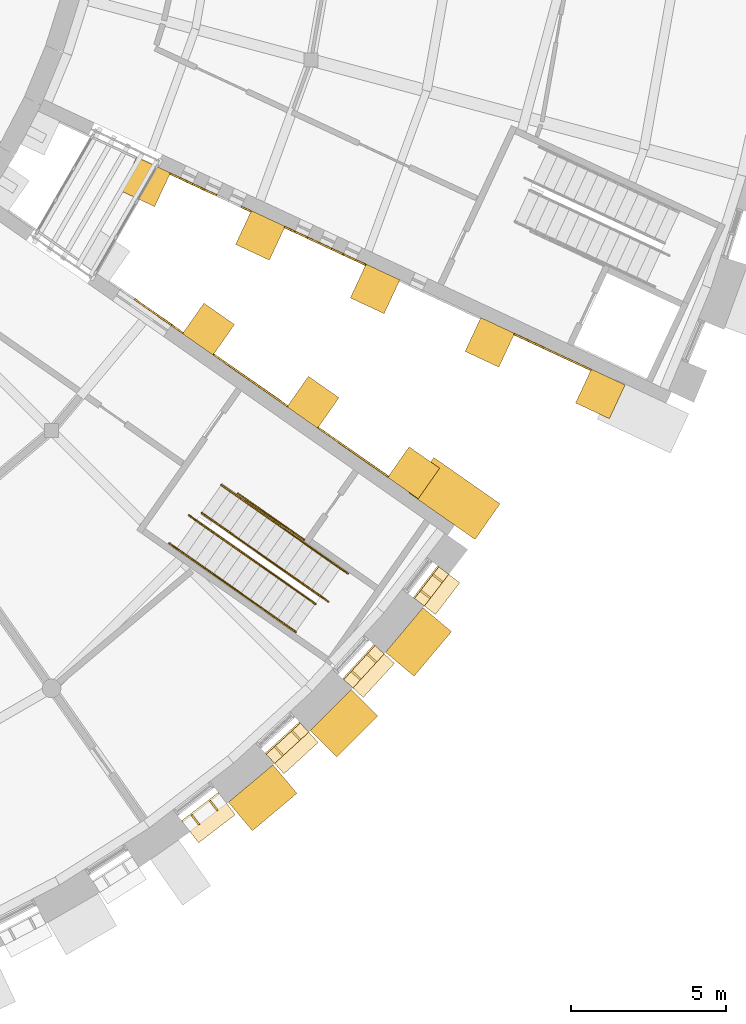
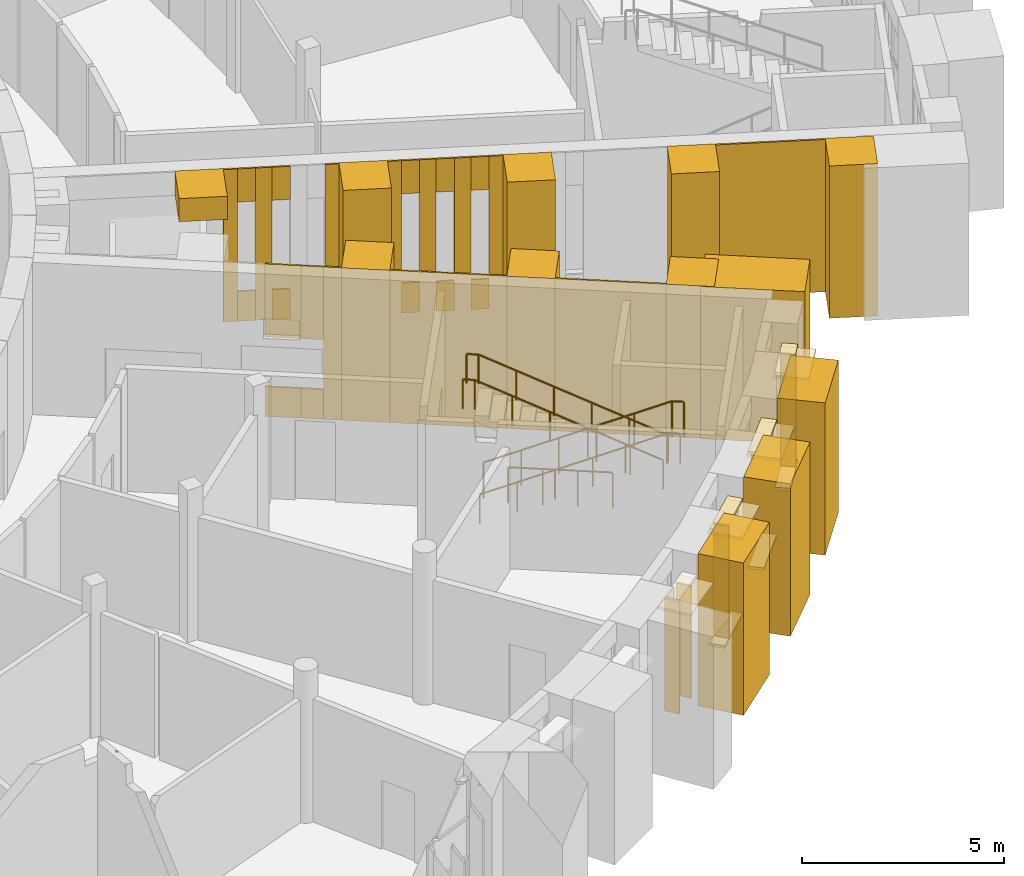
# One storey, part 58 of 66: 55 coverings, 5 railings.
"""IFC4 building model written with IfcOpenShell, lengths in metres."""

from ifc_helpers import new_model, si_unit, direction, frame, origin, origin_2d, place, context, subcontext, project, spatial, polyline, rectangle, circle, outline, extrude, material, layer, layer_set, type_object, element, save


model = new_model("IFC4")

# Units and contexts
model_context = context("Model", 3, precision=1e-05, world=origin(), true_north=direction((0.0, 1.0)))
body_context = subcontext(model_context, "Body", "Model", "MODEL_VIEW")
ifc_project = project(units=[si_unit("LENGTHUNIT", "METRE"), si_unit("AREAUNIT", "SQUARE_METRE"), si_unit("VOLUMEUNIT", "CUBIC_METRE"), si_unit("PLANEANGLEUNIT", "RADIAN"), si_unit("MASSUNIT", "GRAM", prefix="KILO")], contexts=[model_context])

# Site, building, storey
site_placement = place(None, origin())
site = spatial("IfcSite", under=ifc_project, at=site_placement, CompositionType="ELEMENT")
building_placement = place(site_placement, origin())
building = spatial("IfcBuilding", under=site, at=building_placement, Name="Volute Hill Aquarium", CompositionType="ELEMENT")
storey_placement = place(building_placement, frame((0.0, 0.0, 4.60009765625)))
storey = spatial("IfcBuildingStorey", under=building, at=storey_placement, Name="L02", CompositionType="ELEMENT", Elevation=4.60009765625)

# Coverings
ifc_material_1 = material(Name="Precast concrete C40/50", Category="concrete")
covering_type_1 = type_object("IfcCoveringType", Name="End wall precast fin C40/50 1200x1200", PredefinedType="CLADDING", material=ifc_material_1)
for number, where, z_axis, x_axis, name in (
    (1, (24.421142578125, -16.0927734375, -0.000244140625), (0.0, 0.0, 1.0), (0.819152467225, -0.573575832335, 0.0), "End wall fin EWF S3B L02 3"),
    (2, (27.78564453125, -18.44873046875, -0.000244140625), (0.0, 0.0, 1.0), (0.819152467225, -0.573575832335, 0.0), "End wall fin EWF S3B L02 4"),
    (3, (31.027587890625, -20.718505859375, -0.000244140625), (0.0, 0.0, 1.0), (0.819152467225, -0.573575832335, 0.0), "End wall fin EWF S3B L02 5"),
):
    element("IfcCovering", number, at=place(storey_placement, frame(where, z_axis=z_axis, x_axis=x_axis)), inside=storey, type_object=covering_type_1, Name=name, PredefinedType="CLADDING", context=body_context, shape_type="SweptSolid", body=[
        extrude(rectangle(XDim=1.199951171875, YDim=1.199951171875, at=origin_2d()), origin(), (0.0, 0.0, 1.0), 4.60009765625),
    ])
covering_1_placement = place(storey_placement, frame((22.39599609375, -11.353759765625, 3.89990234375), z_axis=(0.0, 0.0, 1.0), x_axis=(0.906308670387, -0.422616367385, 0.0)))
element("IfcCovering", 4, at=covering_1_placement, inside=storey, type_object=covering_type_1, Name="End wall fin EWF S4A L02 2", PredefinedType="CLADDING", context=body_context, shape_type="SweptSolid", body=[
    extrude(rectangle(XDim=1.199951171875, YDim=1.199951171875, at=origin_2d()), origin(), (0.0, 0.0, 1.0), 0.699951171875),
])
for number, where, z_axis, x_axis, name in (
    (5, (26.090087890625, -13.076416015625, -0.000244140625), (0.0, 0.0, 1.0), (0.906308670387, -0.422616367385, 0.0), "End wall fin EWF S4A L02 3"),
    (6, (29.7841796875, -14.798828125, -0.000244140625), (0.0, 0.0, 1.0), (0.906308670387, -0.422616367385, 0.0), "End wall fin EWF S4A L02 4"),
    (7, (33.478271484375, -16.521484375, -0.000244140625), (0.0, 0.0, 1.0), (0.906308670387, -0.422616367385, 0.0), "End wall fin EWF S4A L02 5"),
    (8, (37.03662109375, -18.1806640625, -0.000244140625), (0.0, 0.0, 1.0), (0.906308670387, -0.422616367385, 0.0), "End wall fin EWF S4A L02 6"),
):
    element("IfcCovering", number, at=place(storey_placement, frame(where, z_axis=z_axis, x_axis=x_axis)), inside=storey, type_object=covering_type_1, Name=name, PredefinedType="CLADDING", context=body_context, shape_type="SweptSolid", body=[
        extrude(rectangle(XDim=1.199951171875, YDim=1.199951171875, at=origin_2d()), origin(), (0.0, 0.0, 1.0), 4.60009765625),
    ])
ifc_material_2 = material(Name="Precast concrete C40/50", Category="concrete")
ifc_layer_1 = layer(ifc_material_2, 0.050048828125)
ifc_layer_set_1 = layer_set([ifc_layer_1], Name="End wall precast infill panel C40/50 50")
covering_type_2 = type_object("IfcCoveringType", Name="End wall precast infill panel C40/50 50", PredefinedType="CLADDING", material=ifc_layer_set_1)
covering_2_placement = place(storey_placement, frame((22.02587890625, -15.148193359375, 0.0), z_axis=(-0.573462344363, -0.819231920519, 0.0), x_axis=(0.819231920519, -0.573462344363, 0.0)))
element("IfcCovering", 9, at=covering_2_placement, inside=storey, type_object=covering_type_2, Name="End wall panel EWP S3B L02 2", PredefinedType="CLADDING", context=body_context, shape_type="SweptSolid", body=[
    extrude(outline(polyline([(0.0, 0.0), (0.8999950673709908, 0.0), (0.8999950673709908, 0.89990234375), (0.0, 0.89990234375), (0.0, 0.0)])), origin(), (0.0, 0.0, -1.0), 0.050048828125),
])
covering_3_placement = place(storey_placement, frame((22.02587890625, -15.148193359375, 2.39990234375), z_axis=(-0.573462344363, -0.819231920519, 0.0), x_axis=(0.819231920519, -0.573462344363, 0.0)))
element("IfcCovering", 10, at=covering_3_placement, inside=storey, type_object=covering_type_2, Name="End wall panel EWP S3B L02 2", PredefinedType="CLADDING", context=body_context, shape_type="SweptSolid", body=[
    extrude(outline(polyline([(0.0, 0.0), (0.8999950673709908, 0.0), (0.8999950673709908, 2.199951171875), (0.0, 2.199951171875), (0.0, 0.0)])), origin(), (0.0, 0.0, -1.0), 0.050048828125),
])
covering_4_placement = place(storey_placement, frame((22.76318359375, -15.664306640625, 0.0), z_axis=(-0.573580694562, -0.819149062641, 0.0), x_axis=(0.819149062641, -0.573580694562, 0.0)))
element("IfcCovering", 11, at=covering_4_placement, inside=storey, type_object=covering_type_2, Name="End wall panel EWP S3B L02 2", PredefinedType="CLADDING", context=body_context, shape_type="SweptSolid", body=[
    extrude(outline(polyline([(0.0, 0.0), (0.5537615825225353, 0.0), (0.5537615825225353, 0.89990234375), (0.0, 0.89990234375), (0.0, 0.0)])), origin(), (0.0, 0.0, -1.0), 0.050048828125),
])
covering_5_placement = place(storey_placement, frame((22.76318359375, -15.664306640625, 2.39990234375), z_axis=(-0.573580694562, -0.819149062641, 0.0), x_axis=(0.819149062641, -0.573580694562, 0.0)))
element("IfcCovering", 12, at=covering_5_placement, inside=storey, type_object=covering_type_2, Name="End wall panel EWP S3B L02 2", PredefinedType="CLADDING", context=body_context, shape_type="SweptSolid", body=[
    extrude(outline(polyline([(0.0, 0.0), (0.5537615825225353, 0.0), (0.5537615825225353, 2.199951171875), (0.0, 2.199951171875), (0.0, 0.0)])), origin(), (0.0, 0.0, -1.0), 0.050048828125),
])
covering_6_placement = place(storey_placement, frame((23.216796875, -15.98193359375, 0.0), z_axis=(-0.573462344363, -0.819231920519, 0.0), x_axis=(0.819231920519, -0.573462344363, 0.0)))
element("IfcCovering", 13, at=covering_6_placement, inside=storey, type_object=covering_type_2, Name="End wall panel EWP S3B L02 2", PredefinedType="CLADDING", context=body_context, shape_type="SweptSolid", body=[
    extrude(outline(polyline([(0.0, 0.0), (0.4499975336854954, 0.0), (0.4499975336854954, 4.599853515625), (0.0, 4.599853515625), (0.0, 0.0)])), origin(), (0.0, 0.0, -1.0), 0.050048828125),
])
covering_7_placement = place(storey_placement, frame((24.568359375, -16.928466796875, 0.0), z_axis=(-0.573546879551, -0.819172739388, 0.0), x_axis=(0.819172739388, -0.573546879551, 0.0)))
element("IfcCovering", 14, at=covering_7_placement, inside=storey, type_object=covering_type_2, Name="End wall panel EWP S3B L02 3", PredefinedType="CLADDING", context=body_context, shape_type="SweptSolid", body=[
    extrude(outline(polyline([(0.0, 0.0), (2.9073132959151495, 0.0), (2.9073132959151495, 4.599853515625), (0.0, 4.599853515625), (0.0, 0.0)])), origin(), (0.0, 0.0, -1.0), 0.050048828125),
])
covering_8_placement = place(storey_placement, frame((27.93310546875, -19.284423828125, 0.0), z_axis=(-0.573557416232, -0.819165361991, 0.0), x_axis=(0.819165361991, -0.573557416232, 0.0)))
element("IfcCovering", 15, at=covering_8_placement, inside=storey, type_object=covering_type_2, Name="End wall panel EWP S3B L02 4", PredefinedType="CLADDING", context=body_context, shape_type="SweptSolid", body=[
    extrude(outline(polyline([(0.0, 0.0), (2.7574274588594703, 0.0), (2.7574274588594703, 4.599853515625), (0.0, 4.599853515625), (0.0, 0.0)])), origin(), (0.0, 0.0, -1.0), 0.050048828125),
])
covering_9_placement = place(storey_placement, frame((23.17236328125, -11.10888671875, 0.0), z_axis=(-0.422503748493, -0.906361176634, 0.0), x_axis=(0.906361176634, -0.422503748493, 0.0)))
element("IfcCovering", 16, at=covering_9_placement, inside=storey, type_object=covering_type_2, Name="End wall panel EWP S4A L02 2", PredefinedType="CLADDING", context=body_context, shape_type="SweptSolid", body=[
    extrude(outline(polyline([(0.0, 0.0), (0.35017255888939314, 0.0), (0.35017255888939314, 4.599853515625), (0.0, 4.599853515625), (0.0, 0.0)])), origin(), (0.0, 0.0, -1.0), 0.050048828125),
])
covering_10_placement = place(storey_placement, frame((23.48974609375, -11.2568359375, 0.0), z_axis=(-0.422736919649, -0.906252446488, 0.0), x_axis=(0.906252446488, -0.422736919649, 0.0)))
element("IfcCovering", 17, at=covering_10_placement, inside=storey, type_object=covering_type_2, Name="End wall panel EWP S4A L02 2", PredefinedType="CLADDING", context=body_context, shape_type="SweptSolid", body=[
    extrude(outline(polyline([(0.0, 0.0), (0.4498910268656508, 0.0), (0.4498910268656508, 0.89990234375), (0.0, 0.89990234375), (0.0, 0.0)])), origin(), (0.0, 0.0, -1.0), 0.050048828125),
])
covering_11_placement = place(storey_placement, frame((23.48974609375, -11.2568359375, 3.599853515625), z_axis=(-0.422736919649, -0.906252446488, 0.0), x_axis=(0.906252446488, -0.422736919649, 0.0)))
element("IfcCovering", 18, at=covering_11_placement, inside=storey, type_object=covering_type_2, Name="End wall panel EWP S4A L02 2", PredefinedType="CLADDING", context=body_context, shape_type="SweptSolid", body=[
    extrude(outline(polyline([(0.0, 0.0), (0.4498910268656508, 0.0), (0.4498910268656508, 1.0), (0.0, 1.0), (0.0, 0.0)])), origin(), (0.0, 0.0, -1.0), 0.050048828125),
])
covering_12_placement = place(storey_placement, frame((23.8974609375, -11.447021484375, 0.0), z_axis=(-0.422691273525, -0.906273737502, 0.0), x_axis=(0.906273737502, -0.422691273525, 0.0)))
element("IfcCovering", 19, at=covering_12_placement, inside=storey, type_object=covering_type_2, Name="End wall panel EWP S4A L02 2", PredefinedType="CLADDING", context=body_context, shape_type="SweptSolid", body=[
    extrude(outline(polyline([(0.0, 0.0), (0.4129740967189735, 0.0), (0.4129740967189735, 4.599853515625), (0.0, 4.599853515625), (0.0, 0.0)])), origin(), (0.0, 0.0, -1.0), 0.050048828125),
])
covering_13_placement = place(storey_placement, frame((24.271728515625, -11.62158203125, 0.0), z_axis=(-0.422736919649, -0.906252446488, 0.0), x_axis=(0.906252446488, -0.422736919649, 0.0)))
element("IfcCovering", 20, at=covering_13_placement, inside=storey, type_object=covering_type_2, Name="End wall panel EWP S4A L02 2", PredefinedType="CLADDING", context=body_context, shape_type="SweptSolid", body=[
    extrude(outline(polyline([(0.0, 0.0), (0.4498910268656508, 0.0), (0.4498910268656508, 0.89990234375), (0.0, 0.89990234375), (0.0, 0.0)])), origin(), (0.0, 0.0, -1.0), 0.050048828125),
])
covering_14_placement = place(storey_placement, frame((24.271728515625, -11.62158203125, 3.599853515625), z_axis=(-0.422736919649, -0.906252446488, 0.0), x_axis=(0.906252446488, -0.422736919649, 0.0)))
element("IfcCovering", 21, at=covering_14_placement, inside=storey, type_object=covering_type_2, Name="End wall panel EWP S4A L02 2", PredefinedType="CLADDING", context=body_context, shape_type="SweptSolid", body=[
    extrude(outline(polyline([(0.0, 0.0), (0.4498910268656508, 0.0), (0.4498910268656508, 1.0), (0.0, 1.0), (0.0, 0.0)])), origin(), (0.0, 0.0, -1.0), 0.050048828125),
])
for number, where, z_axis, x_axis, name in (
    (22, (25.46142578125, -12.17626953125, 0.0), (-0.422503748493, -0.906361176634, 0.0), (0.906361176634, -0.422503748493, 0.0), "End wall panel EWP S4A L02 2"),
    (23, (26.866455078125, -12.83154296875, 0.0), (-0.422503748493, -0.906361176634, 0.0), (0.906361176634, -0.422503748493, 0.0), "End wall panel EWP S4A L02 3"),
):
    element("IfcCovering", number, at=place(storey_placement, frame(where, z_axis=z_axis, x_axis=x_axis)), inside=storey, type_object=covering_type_2, Name=name, PredefinedType="CLADDING", context=body_context, shape_type="SweptSolid", body=[
        extrude(outline(polyline([(0.0, 0.0), (0.35017255888939314, 0.0), (0.35017255888939314, 4.599853515625), (0.0, 4.599853515625), (0.0, 0.0)])), origin(), (0.0, 0.0, -1.0), 0.050048828125),
    ])
covering_15_placement = place(storey_placement, frame((27.183837890625, -12.9794921875, 0.0), z_axis=(-0.422736919649, -0.906252446488, 0.0), x_axis=(0.906252446488, -0.422736919649, 0.0)))
element("IfcCovering", 24, at=covering_15_placement, inside=storey, type_object=covering_type_2, Name="End wall panel EWP S4A L02 3", PredefinedType="CLADDING", context=body_context, shape_type="SweptSolid", body=[
    extrude(outline(polyline([(0.0, 0.0), (0.4498910268656508, 0.0), (0.4498910268656508, 0.89990234375), (0.0, 0.89990234375), (0.0, 0.0)])), origin(), (0.0, 0.0, -1.0), 0.050048828125),
])
covering_16_placement = place(storey_placement, frame((27.183837890625, -12.9794921875, 3.599853515625), z_axis=(-0.422736919649, -0.906252446488, 0.0), x_axis=(0.906252446488, -0.422736919649, 0.0)))
element("IfcCovering", 25, at=covering_16_placement, inside=storey, type_object=covering_type_2, Name="End wall panel EWP S4A L02 3", PredefinedType="CLADDING", context=body_context, shape_type="SweptSolid", body=[
    extrude(outline(polyline([(0.0, 0.0), (0.4498910268656508, 0.0), (0.4498910268656508, 1.0), (0.0, 1.0), (0.0, 0.0)])), origin(), (0.0, 0.0, -1.0), 0.050048828125),
])
covering_17_placement = place(storey_placement, frame((27.591552734375, -13.169677734375, 0.0), z_axis=(-0.42220553922, -0.906500128324, 0.0), x_axis=(0.906500128324, -0.42220553922, 0.0)))
element("IfcCovering", 26, at=covering_17_placement, inside=storey, type_object=covering_type_2, Name="End wall panel EWP S4A L02 3", PredefinedType="CLADDING", context=body_context, shape_type="SweptSolid", body=[
    extrude(outline(polyline([(0.0, 0.0), (0.4128709598936065, 0.0), (0.4128709598936065, 4.599853515625), (0.0, 4.599853515625), (0.0, 0.0)])), origin(), (0.0, 0.0, -1.0), 0.050048828125),
])
covering_18_placement = place(storey_placement, frame((27.9658203125, -13.343994140625, 0.0), z_axis=(-0.422736919649, -0.906252446488, 0.0), x_axis=(0.906252446488, -0.422736919649, 0.0)))
element("IfcCovering", 27, at=covering_18_placement, inside=storey, type_object=covering_type_2, Name="End wall panel EWP S4A L02 3", PredefinedType="CLADDING", context=body_context, shape_type="SweptSolid", body=[
    extrude(outline(polyline([(0.0, 0.0), (0.4498910268656508, 0.0), (0.4498910268656508, 0.89990234375), (0.0, 0.89990234375), (0.0, 0.0)])), origin(), (0.0, 0.0, -1.0), 0.050048828125),
])
covering_19_placement = place(storey_placement, frame((27.9658203125, -13.343994140625, 3.599853515625), z_axis=(-0.422736919649, -0.906252446488, 0.0), x_axis=(0.906252446488, -0.422736919649, 0.0)))
element("IfcCovering", 28, at=covering_19_placement, inside=storey, type_object=covering_type_2, Name="End wall panel EWP S4A L02 3", PredefinedType="CLADDING", context=body_context, shape_type="SweptSolid", body=[
    extrude(outline(polyline([(0.0, 0.0), (0.4498910268656508, 0.0), (0.4498910268656508, 1.0), (0.0, 1.0), (0.0, 0.0)])), origin(), (0.0, 0.0, -1.0), 0.050048828125),
])
covering_20_placement = place(storey_placement, frame((28.37353515625, -13.5341796875, 0.0), z_axis=(-0.422691273525, -0.906273737502, 0.0), x_axis=(0.906273737502, -0.422691273525, 0.0)))
element("IfcCovering", 29, at=covering_20_placement, inside=storey, type_object=covering_type_2, Name="End wall panel EWP S4A L02 3", PredefinedType="CLADDING", context=body_context, shape_type="SweptSolid", body=[
    extrude(outline(polyline([(0.0, 0.0), (0.4129740967189735, 0.0), (0.4129740967189735, 4.599853515625), (0.0, 4.599853515625), (0.0, 0.0)])), origin(), (0.0, 0.0, -1.0), 0.050048828125),
])
covering_21_placement = place(storey_placement, frame((28.747802734375, -13.708740234375, 0.0), z_axis=(-0.422736919649, -0.906252446488, 0.0), x_axis=(0.906252446488, -0.422736919649, 0.0)))
element("IfcCovering", 30, at=covering_21_placement, inside=storey, type_object=covering_type_2, Name="End wall panel EWP S4A L02 3", PredefinedType="CLADDING", context=body_context, shape_type="SweptSolid", body=[
    extrude(outline(polyline([(0.0, 0.0), (0.4498910268656508, 0.0), (0.4498910268656508, 0.89990234375), (0.0, 0.89990234375), (0.0, 0.0)])), origin(), (0.0, 0.0, -1.0), 0.050048828125),
])
covering_22_placement = place(storey_placement, frame((28.747802734375, -13.708740234375, 3.599853515625), z_axis=(-0.422736919649, -0.906252446488, 0.0), x_axis=(0.906252446488, -0.422736919649, 0.0)))
element("IfcCovering", 31, at=covering_22_placement, inside=storey, type_object=covering_type_2, Name="End wall panel EWP S4A L02 3", PredefinedType="CLADDING", context=body_context, shape_type="SweptSolid", body=[
    extrude(outline(polyline([(0.0, 0.0), (0.4498910268656508, 0.0), (0.4498910268656508, 1.0), (0.0, 1.0), (0.0, 0.0)])), origin(), (0.0, 0.0, -1.0), 0.050048828125),
])
covering_23_placement = place(storey_placement, frame((29.155517578125, -13.89892578125, 0.0), z_axis=(-0.422503748493, -0.906361176634, 0.0), x_axis=(0.906361176634, -0.422503748493, 0.0)))
element("IfcCovering", 32, at=covering_23_placement, inside=storey, type_object=covering_type_2, Name="End wall panel EWP S4A L02 3", PredefinedType="CLADDING", context=body_context, shape_type="SweptSolid", body=[
    extrude(outline(polyline([(0.0, 0.0), (0.35017255888939314, 0.0), (0.35017255888939314, 4.599853515625), (0.0, 4.599853515625), (0.0, 0.0)])), origin(), (0.0, 0.0, -1.0), 0.050048828125),
])
covering_24_placement = place(storey_placement, frame((34.254638671875, -16.276611328125, 0.0), z_axis=(-0.422615797409, -0.906308936169, 0.0), x_axis=(0.906308936169, -0.422615797409, 0.0)))
element("IfcCovering", 33, at=covering_24_placement, inside=storey, type_object=covering_type_2, Name="End wall panel EWP S4A L02 5", PredefinedType="CLADDING", context=body_context, shape_type="SweptSolid", body=[
    extrude(outline(polyline([(0.0, 0.0), (2.726115815919565, 0.0), (2.726115815919565, 4.599853515625), (0.0, 4.599853515625), (0.0, 0.0)])), origin(), (0.0, 0.0, -1.0), 0.050048828125),
])

# Railings
ifc_material_3 = material(Name="Stainless steel 1.4301", Category="steel")
railing_type_1 = type_object("IfcRailingType", Name="Guard 1100 stainless", PredefinedType="GUARDRAIL", material=ifc_material_3)
railing_1_placement = place(storey_placement, frame((27.499267578125, -22.880859375, 0.0)))
element("IfcRailing", 34, at=railing_1_placement, inside=storey, type_object=railing_type_1, Name="gd/S3-B/L02/edge", PredefinedType="GUARDRAIL", context=body_context, shape_type="SweptSolid", body=[
    extrude(circle(Radius=0.02392578125, at=origin_2d()), frame((0.0, 0.0, 1.076171875), z_axis=(-0.819178980414, 0.573537965655, 0.0), x_axis=(-0.573537965655, -0.819178980414, 0.0)), (0.0, 0.0, 1.0), 2.60009765625),
    extrude(circle(Radius=0.02099609375, at=origin_2d()), origin(), (0.0, 0.0, 1.0), 1.052001953125),
    extrude(circle(Radius=0.02099609375, at=origin_2d()), frame((-0.7099609375, 0.4970703125, 0.0)), (0.0, 0.0, 1.0), 1.052001953125),
    extrude(circle(Radius=0.02099609375, at=origin_2d()), frame((-1.419921875, 0.994140625, 0.0)), (0.0, 0.0, 1.0), 1.052001953125),
    extrude(circle(Radius=0.02099609375, at=origin_2d()), frame((-2.1298828125, 1.4912109375, 0.0)), (0.0, 0.0, 1.0), 1.052001953125),
])
railing_2_placement = place(storey_placement, frame((24.83203125, -21.111083984375, 0.164306640625)))
element("IfcRailing", 35, at=railing_2_placement, inside=storey, type_object=railing_type_1, Name="gd/S3-B/L02/1", PredefinedType="GUARDRAIL", context=body_context, shape_type="SweptSolid", body=[
    extrude(circle(Radius=0.02392578125, at=origin_2d()), frame((0.0, 0.0, 1.076171875), z_axis=(0.745244624378, -0.521808867416, 0.415121615579), x_axis=(0.57356387087, 0.81916084259, 0.0)), (0.0, 0.0, 1.0), 5.144287109375),
    extrude(circle(Radius=0.02392578125, at=origin_2d()), frame((3.833740234375, -2.684326171875, 3.21142578125), z_axis=(0.819575896246, -0.572970636502, 0.0), x_axis=(0.572970636502, 0.819575896246, 0.0)), (0.0, 0.0, 1.0), 0.300048828125),
    extrude(circle(Radius=0.02099609375, at=origin_2d()), origin(), (0.0, 0.0, 1.0), 1.052001953125),
    extrude(circle(Radius=0.02099609375, at=origin_2d()), frame((0.766845703125, -0.536865234375, 0.427001953125)), (0.0, 0.0, 1.0), 1.052001953125),
    extrude(circle(Radius=0.02099609375, at=origin_2d()), frame((1.533447265625, -1.07373046875, 0.854248046875)), (0.0, 0.0, 1.0), 1.052001953125),
    extrude(circle(Radius=0.02099609375, at=origin_2d()), frame((2.30029296875, -1.610595703125, 1.28125)), (0.0, 0.0, 1.0), 1.052001953125),
    extrude(circle(Radius=0.02099609375, at=origin_2d()), frame((3.06689453125, -2.1474609375, 1.70849609375)), (0.0, 0.0, 1.0), 1.052001953125),
    extrude(circle(Radius=0.02099609375, at=origin_2d()), frame((3.833740234375, -2.684326171875, 2.135498046875)), (0.0, 0.0, 1.0), 1.052001953125),
    extrude(circle(Radius=0.02099609375, at=origin_2d()), frame((4.07958984375, -2.856201171875, 2.135498046875)), (0.0, 0.0, 1.0), 1.052001953125),
])
ifc_material_4 = material(Name="Stainless steel 1.4301", Category="steel")
railing_type_2 = type_object("IfcRailingType", Name="Handrail 48 stainless", PredefinedType="HANDRAIL", material=ifc_material_4)
railing_3_placement = place(storey_placement, frame((24.201171875, -22.011962890625, 0.164306640625)))
element("IfcRailing", 36, at=railing_3_placement, inside=storey, type_object=railing_type_2, Name="hr/S3-B/L02/2", PredefinedType="HANDRAIL", context=body_context, shape_type="SweptSolid", body=[
    extrude(circle(Radius=0.02392578125, at=origin_2d()), frame((0.0, 0.0, 0.8759765625), z_axis=(0.745244624378, -0.521808867416, 0.415121615579), x_axis=(0.57356387087, 0.81916084259, 0.0)), (0.0, 0.0, 1.0), 5.144287109375),
    extrude(circle(Radius=0.02392578125, at=origin_2d()), frame((3.833740234375, -2.684326171875, 3.01123046875), z_axis=(0.818925855405, -0.573899332068, 0.0), x_axis=(0.573899332068, 0.818925855405, 0.0)), (0.0, 0.0, 1.0), 0.2998046875),
    extrude(circle(Radius=0.02099609375, at=origin_2d()), origin(), (0.0, 0.0, 1.0), 0.851806640625),
    extrude(circle(Radius=0.02099609375, at=origin_2d()), frame((0.766845703125, -0.536865234375, 0.427001953125)), (0.0, 0.0, 1.0), 0.851806640625),
    extrude(circle(Radius=0.02099609375, at=origin_2d()), frame((1.533447265625, -1.07373046875, 0.854248046875)), (0.0, 0.0, 1.0), 0.851806640625),
    extrude(circle(Radius=0.02099609375, at=origin_2d()), frame((2.30029296875, -1.610595703125, 1.28125)), (0.0, 0.0, 1.0), 0.851806640625),
    extrude(circle(Radius=0.02099609375, at=origin_2d()), frame((3.06689453125, -2.1474609375, 1.70849609375)), (0.0, 0.0, 1.0), 0.851806640625),
    extrude(circle(Radius=0.02099609375, at=origin_2d()), frame((3.833740234375, -2.684326171875, 2.135498046875)), (0.0, 0.0, 1.0), 0.851806640625),
    extrude(circle(Radius=0.02099609375, at=origin_2d()), frame((4.079345703125, -2.8564453125, 2.135498046875)), (0.0, 0.0, 1.0), 0.851806640625),
])
railing_4_placement = place(storey_placement, frame((27.86279296875, -24.942138671875, 2.464111328125)))
element("IfcRailing", 37, at=railing_4_placement, inside=storey, type_object=railing_type_2, Name="hr/S3-B/L02/3", PredefinedType="HANDRAIL", context=body_context, shape_type="SweptSolid", body=[
    extrude(circle(Radius=0.02392578125, at=origin_2d()), frame((0.0, 0.0, 0.8759765625), z_axis=(-0.745229941797, 0.521798586898, 0.415160894787), x_axis=(-0.57356387087, -0.81916084259, 0.0)), (0.0, 0.0, 1.0), 5.144287109375),
    extrude(circle(Radius=0.02392578125, at=origin_2d()), frame((-3.833740234375, 2.684326171875, 3.01171875), z_axis=(-0.819193700616, 0.573516940352, 0.0), x_axis=(-0.573516940352, -0.819193700616, 0.0)), (0.0, 0.0, 1.0), 0.300048828125),
    extrude(circle(Radius=0.02099609375, at=origin_2d()), origin(), (0.0, 0.0, 1.0), 0.851806640625),
    extrude(circle(Radius=0.02099609375, at=origin_2d()), frame((-0.766845703125, 0.536865234375, 0.42724609375)), (0.0, 0.0, 1.0), 0.851806640625),
    extrude(circle(Radius=0.02099609375, at=origin_2d()), frame((-1.533447265625, 1.07373046875, 0.854248046875)), (0.0, 0.0, 1.0), 0.851806640625),
    extrude(circle(Radius=0.02099609375, at=origin_2d()), frame((-2.30029296875, 1.610595703125, 1.281494140625)), (0.0, 0.0, 1.0), 0.851806640625),
    extrude(circle(Radius=0.02099609375, at=origin_2d()), frame((-3.06689453125, 2.1474609375, 1.70849609375)), (0.0, 0.0, 1.0), 0.851806640625),
    extrude(circle(Radius=0.02099609375, at=origin_2d()), frame((-3.833740234375, 2.684326171875, 2.1357421875)), (0.0, 0.0, 1.0), 0.851806640625),
    extrude(circle(Radius=0.02099609375, at=origin_2d()), frame((-4.07958984375, 2.8564453125, 2.1357421875)), (0.0, 0.0, 1.0), 0.851806640625),
])
railing_5_placement = place(storey_placement, frame((27.231689453125, -25.84326171875, 2.464111328125)))
element("IfcRailing", 38, at=railing_5_placement, inside=storey, type_object=railing_type_2, Name="hr/S3-B/L02/4", PredefinedType="HANDRAIL", context=body_context, shape_type="SweptSolid", body=[
    extrude(circle(Radius=0.02392578125, at=origin_2d()), frame((0.0, 0.0, 0.8759765625), z_axis=(-0.745190384026, 0.521851577044, 0.415165296106), x_axis=(-0.573623384376, -0.819119168923, 0.0)), (0.0, 0.0, 1.0), 5.144287109375),
    extrude(circle(Radius=0.02392578125, at=origin_2d()), frame((-3.83349609375, 2.6845703125, 3.01171875), z_axis=(-0.819575896246, 0.572970636502, 0.0), x_axis=(-0.572970636502, -0.819575896246, 0.0)), (0.0, 0.0, 1.0), 0.300048828125),
    extrude(circle(Radius=0.02099609375, at=origin_2d()), origin(), (0.0, 0.0, 1.0), 0.851806640625),
    extrude(circle(Radius=0.02099609375, at=origin_2d()), frame((-0.7666015625, 0.536865234375, 0.42724609375)), (0.0, 0.0, 1.0), 0.851806640625),
    extrude(circle(Radius=0.02099609375, at=origin_2d()), frame((-1.533447265625, 1.07373046875, 0.854248046875)), (0.0, 0.0, 1.0), 0.851806640625),
    extrude(circle(Radius=0.02099609375, at=origin_2d()), frame((-2.300048828125, 1.61083984375, 1.281494140625)), (0.0, 0.0, 1.0), 0.851806640625),
    extrude(circle(Radius=0.02099609375, at=origin_2d()), frame((-3.06689453125, 2.147705078125, 1.70849609375)), (0.0, 0.0, 1.0), 0.851806640625),
    extrude(circle(Radius=0.02099609375, at=origin_2d()), frame((-3.83349609375, 2.6845703125, 2.1357421875)), (0.0, 0.0, 1.0), 0.851806640625),
    extrude(circle(Radius=0.02099609375, at=origin_2d()), frame((-4.079345703125, 2.8564453125, 2.1357421875)), (0.0, 0.0, 1.0), 0.851806640625),
])

# Coverings
ifc_material_5 = material(Name="Aluminium, anodised", Category="aluminium")
ifc_layer_2 = layer(ifc_material_5, 0.080078125)
ifc_layer_set_2 = layer_set([ifc_layer_2], Name="Horizontal brise-soleil eyebrow 900x80")
covering_type_3 = type_object("IfcCoveringType", Name="Horizontal brise-soleil eyebrow 900x80", PredefinedType="CLADDING", material=ifc_layer_set_2)
for number, where, z_axis, x_axis, name in (
    (39, (24.418701171875, -31.8232421875, 3.809814453125), (0.0, 0.0, 1.0), (0.793365104798, 0.608746096898, 0.0), "Brise-soleil eyebrow BS S3 L02 7.1"),
    (40, (27.099365234375, -29.57373046875, 3.809814453125), (0.0, 0.0, 1.0), (0.737257204746, 0.675612177251, 0.0), "Brise-soleil eyebrow BS S3 L02 8.1"),
    (41, (29.57373046875, -27.099365234375, 3.809814453125), (0.0, 0.0, 1.0), (0.675612177251, 0.737257204746, 0.0), "Brise-soleil eyebrow BS S3 L02 9.1"),
):
    element("IfcCovering", number, at=place(storey_placement, frame(where, z_axis=z_axis, x_axis=x_axis)), inside=storey, type_object=covering_type_3, Name=name, PredefinedType="CLADDING", context=body_context, shape_type="SweptSolid", body=[
        extrude(rectangle(XDim=1.4892578125, YDim=0.89990234375, at=origin_2d()), origin(), (0.0, 0.0, 1.0), 0.080078125),
    ])
covering_25_placement = place(storey_placement, frame((31.76220703125, -24.498291015625, 3.809814453125), z_axis=(0.0, 0.0, 1.0), x_axis=(0.608746096898, 0.793365104798, 0.0)))
element("IfcCovering", 42, at=covering_25_placement, inside=storey, type_object=covering_type_3, Name="Brise-soleil eyebrow BS S3 L02 10.1", PredefinedType="CLADDING", context=body_context, shape_type="SweptSolid", body=[
    extrude(rectangle(XDim=1.2890625, YDim=0.89990234375, at=origin_2d()), origin(), (0.0, 0.0, 1.0), 0.080078125),
])
ifc_material_6 = material(Name="Precast concrete C40/50", Category="concrete")
covering_type_4 = type_object("IfcCoveringType", Name="Projecting pier precast concrete C40/50 1875x1200", PredefinedType="CLADDING", material=ifc_material_6)
for number, where, z_axis, x_axis, name in (
    (43, (26.165771484375, -31.18310546875, -0.000244140625), (0.0, 0.0, 1.0), (0.766044443119, 0.642787609687, 0.0), "Projecting pier PP S3 L02 7"),
    (44, (28.78369140625, -28.78369140625, -0.000244140625), (0.0, 0.0, 1.0), (0.707106781187, 0.707106781187, 0.0), "Projecting pier PP S3 L02 8"),
    (45, (31.18310546875, -26.165771484375, -0.000244140625), (0.0, 0.0, 1.0), (0.642787609687, 0.766044443119, 0.0), "Projecting pier PP S3 L02 9"),
):
    element("IfcCovering", number, at=place(storey_placement, frame(where, z_axis=z_axis, x_axis=x_axis)), inside=storey, type_object=covering_type_4, Name=name, PredefinedType="CLADDING", context=body_context, shape_type="SweptSolid", body=[
        extrude(rectangle(XDim=1.87548828125, YDim=1.199951171875, at=origin_2d()), origin(), (0.0, 0.0, 1.0), 4.60009765625),
    ])
ifc_material_7 = material(Name="Precast concrete C40/50", Category="concrete")
covering_type_5 = type_object("IfcCoveringType", Name="Step pylon precast concrete C40/50 1400x2600", PredefinedType="CLADDING", material=ifc_material_7)
covering_26_placement = place(storey_placement, frame((32.34033203125, -21.546142578125, -0.000244140625), z_axis=(0.0, 0.0, 1.0), x_axis=(0.819152044289, -0.573576436351, 0.0)))
element("IfcCovering", 46, at=covering_26_placement, inside=storey, type_object=covering_type_5, Name="Step pylon SPY S3B L02", PredefinedType="CLADDING", context=body_context, shape_type="SweptSolid", body=[
    extrude(rectangle(XDim=2.60009765625, YDim=1.39990234375, at=origin_2d()), origin(), (0.0, 0.0, 1.0), 4.60009765625),
])
ifc_material_8 = material(Name="Timber, thermally modified ash", Category="wood")
covering_type_6 = type_object("IfcCoveringType", Name="Timber louvre fin 60x400", PredefinedType="CLADDING", material=ifc_material_8)
for number, where, z_axis, x_axis, name in (
    (47, (24.001708984375, -31.89111328125, 0.52978515625), (0.0, 0.0, 1.0), (0.793365104798, 0.608746096898, 0.0), "Timber louvre fin S3 L02 7.1.1"),
    (48, (24.592529296875, -31.437744140625, 0.52978515625), (0.0, 0.0, 1.0), (0.793365104798, 0.608746096898, 0.0), "Timber louvre fin S3 L02 7.1.2"),
    (49, (26.689697265625, -29.677978515625, 0.52978515625), (0.0, 0.0, 1.0), (0.737257204746, 0.675612177251, 0.0), "Timber louvre fin S3 L02 8.1.1"),
    (50, (27.23876953125, -29.1748046875, 0.52978515625), (0.0, 0.0, 1.0), (0.737257204746, 0.675612177251, 0.0), "Timber louvre fin S3 L02 8.1.2"),
    (51, (29.1748046875, -27.23876953125, 0.52978515625), (0.0, 0.0, 1.0), (0.675612177251, 0.737257204746, 0.0), "Timber louvre fin S3 L02 9.1.1"),
    (52, (29.677978515625, -26.68994140625, 0.52978515625), (0.0, 0.0, 1.0), (0.675612177251, 0.737257204746, 0.0), "Timber louvre fin S3 L02 9.1.2"),
    (53, (31.407470703125, -24.632080078125, 0.52978515625), (0.0, 0.0, 1.0), (0.608746096898, 0.793365104798, 0.0), "Timber louvre fin S3 L02 10.1.1"),
    (54, (31.7998046875, -24.120849609375, 0.52978515625), (0.0, 0.0, 1.0), (0.608746096898, 0.793365104798, 0.0), "Timber louvre fin S3 L02 10.1.2"),
):
    element("IfcCovering", number, at=place(storey_placement, frame(where, z_axis=z_axis, x_axis=x_axis)), inside=storey, type_object=covering_type_6, Name=name, PredefinedType="CLADDING", context=body_context, shape_type="SweptSolid", body=[
        extrude(rectangle(XDim=0.06005859375, YDim=0.39990234375, at=origin_2d()), origin(), (0.0, 0.0, 1.0), 3.389892578125),
    ])
ifc_material_9 = material(Name="Timber, thermally modified ash", Category="wood")
covering_type_7 = type_object("IfcCoveringType", Name="Timber louvre fin rail 400x80", PredefinedType="CLADDING", material=ifc_material_9)
for number, where, z_axis, x_axis, name in (
    (55, (26.96435546875, -29.426513671875, 0.449951171875), (0.0, 0.0, 1.0), (0.737257204746, 0.675612177251, 0.0), "Timber louvre fin rail S3 L02 8.1"),
    (56, (26.96435546875, -29.426513671875, 3.919921875), (0.0, 0.0, 1.0), (0.737257204746, 0.675612177251, 0.0), "Timber louvre fin rail S3 L02 8.2"),
    (57, (29.42626953125, -26.96435546875, 0.449951171875), (0.0, 0.0, 1.0), (0.675612177251, 0.737257204746, 0.0), "Timber louvre fin rail S3 L02 9.1"),
    (58, (29.42626953125, -26.96435546875, 3.919921875), (0.0, 0.0, 1.0), (0.675612177251, 0.737257204746, 0.0), "Timber louvre fin rail S3 L02 9.2"),
):
    element("IfcCovering", number, at=place(storey_placement, frame(where, z_axis=z_axis, x_axis=x_axis)), inside=storey, type_object=covering_type_7, Name=name, PredefinedType="CLADDING", context=body_context, shape_type="SweptSolid", body=[
        extrude(rectangle(XDim=1.4892578125, YDim=0.39990234375, at=origin_2d()), origin(), (0.0, 0.0, 1.0), 0.080078125),
    ])
for number, where, z_axis, x_axis, name in (
    (59, (31.603515625, -24.37646484375, 0.449951171875), (0.0, 0.0, 1.0), (0.608746096898, 0.793365104798, 0.0), "Timber louvre fin rail S3 L02 10.1"),
    (60, (31.603515625, -24.37646484375, 3.919921875), (0.0, 0.0, 1.0), (0.608746096898, 0.793365104798, 0.0), "Timber louvre fin rail S3 L02 10.2"),
):
    element("IfcCovering", number, at=place(storey_placement, frame(where, z_axis=z_axis, x_axis=x_axis)), inside=storey, type_object=covering_type_7, Name=name, PredefinedType="CLADDING", context=body_context, shape_type="SweptSolid", body=[
        extrude(rectangle(XDim=1.2890625, YDim=0.39990234375, at=origin_2d()), origin(), (0.0, 0.0, 1.0), 0.080078125),
    ])

save(model, "model.ifc")
